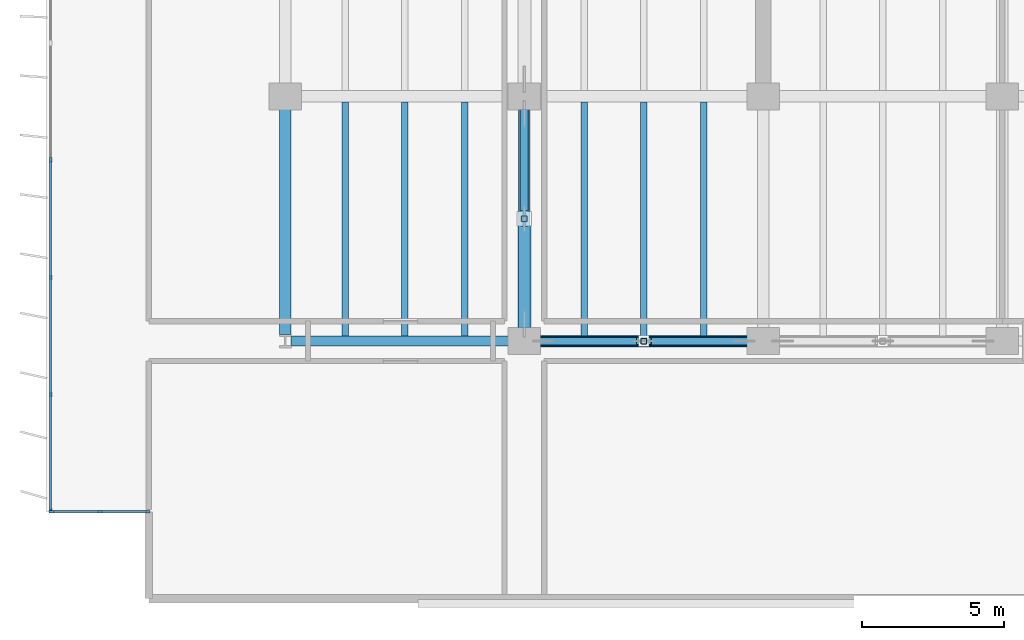
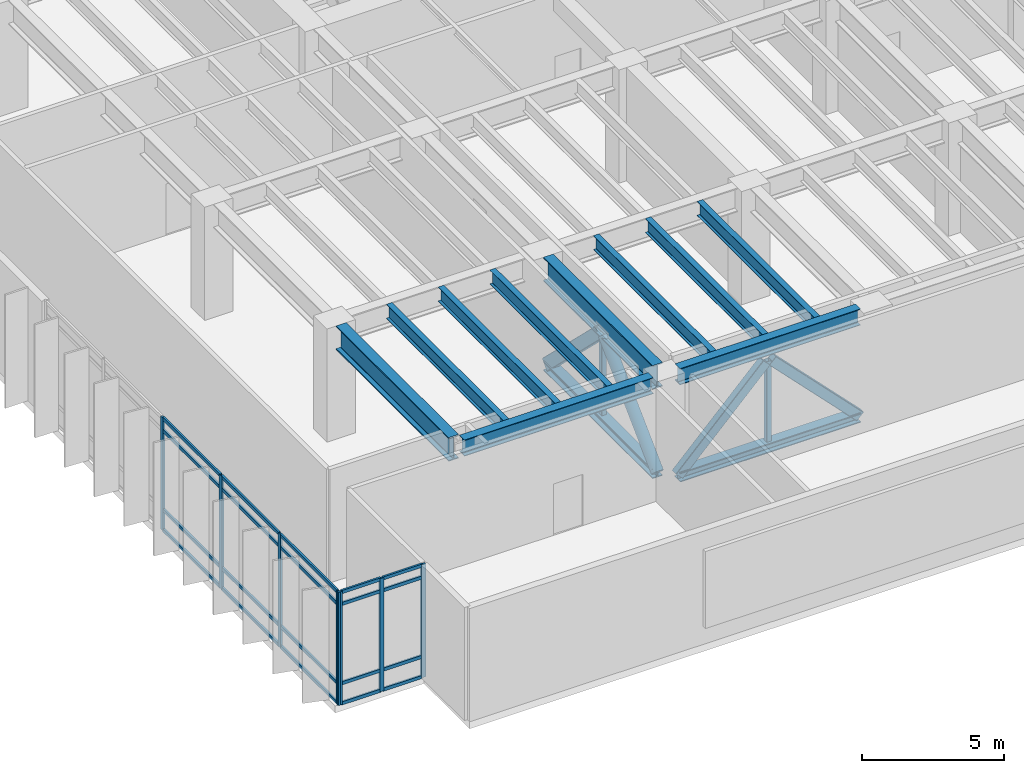
# One storey, part 2 of 21: 33 members, 12 beams, 2 elements without a shape of their own.
"""IFC4 building model written with IfcOpenShell, lengths in metres."""

from ifc_helpers import new_model, si_unit, direction, frame, origin, origin_2d, place, context, subcontext, project, spatial, rectangle, hollow_rectangle, hollow_circle, i_section, extrude, material, layer, layer_set, material_profile, profile_set, type_object, element, aggregate, save


model = new_model("IFC4")

# Units and contexts
model_context = context("Model", 3, precision=1e-05, world=origin(), true_north=direction((0.0, 1.0)))
body_context = subcontext(model_context, "Body", "Model", "MODEL_VIEW")
ifc_project = project(units=[si_unit("LENGTHUNIT", "METRE"), si_unit("AREAUNIT", "SQUARE_METRE"), si_unit("VOLUMEUNIT", "CUBIC_METRE"), si_unit("PLANEANGLEUNIT", "RADIAN"), si_unit("MASSUNIT", "GRAM", prefix="KILO")], contexts=[model_context])

# Site, building, storey
site_placement = place(None, origin())
site = spatial("IfcSite", under=ifc_project, at=site_placement, CompositionType="ELEMENT")
building_placement = place(site_placement, origin())
building = spatial("IfcBuilding", under=site, at=building_placement, Name="Caelmar Bay Residences", CompositionType="ELEMENT")
storey_placement = place(building_placement, frame((0.0, 0.0, 79.5)))
storey = spatial("IfcBuildingStorey", under=building, at=storey_placement, Name="L21", CompositionType="ELEMENT", Elevation=79.5)

# Beams
ifc_material_1 = material(Name="Steel ASTM A992 Grade 50", Category="steel")
ifc_material_profile_1 = material_profile(ifc_material_1, i_section(OverallWidth=0.40087890625, OverallDepth=0.39892578125, WebThickness=0.02490234375, FlangeThickness=0.03955078125, FilletRadius=0.01513671875, at=origin_2d()), Name="W14X211")
ifc_profile_set_1 = profile_set([ifc_material_profile_1], Name="Steel ASTM A992 Grade 50")
beam_type_1 = type_object("IfcBeamType", Name="BM-CHD-W14X211", PredefinedType="BEAM", material=ifc_profile_set_1)
beam_1_placement = place(storey_placement, frame((18.300048828125, 12.6650390625, 0.199462890625), z_axis=(0.0, 1.0, 0.0), x_axis=(-1.0, 0.0, 0.0)))
element("IfcBeam", 1, at=beam_1_placement, inside=storey, type_object=beam_type_1, Name="L21 Outrigger Bottom Chord 1", PredefinedType="BEAM", context=body_context, shape_type="SweptSolid", body=[
    extrude(i_section(OverallWidth=0.40087890625, OverallDepth=0.39892578125, WebThickness=0.02490234375, FlangeThickness=0.03955078125, FilletRadius=0.01513671875, at=origin_2d()), origin(), (0.0, 0.0, 1.0), 7.669921875),
])
beam_2_placement = place(storey_placement, frame((18.840087890625, 12.199951171875, 0.199462890625), z_axis=(1.0, 0.0, 0.0), x_axis=(0.0, 1.0, 0.0)))
element("IfcBeam", 2, at=beam_2_placement, inside=storey, type_object=beam_type_1, Name="L21 Belt-Truss Bottom Chord 1", PredefinedType="BEAM", context=body_context, shape_type="SweptSolid", body=[
    extrude(i_section(OverallWidth=0.40087890625, OverallDepth=0.39892578125, WebThickness=0.02490234375, FlangeThickness=0.03955078125, FilletRadius=0.01513671875, at=origin_2d()), origin(), (0.0, 0.0, 1.0), 7.31982421875),
])
ifc_material_profile_2 = material_profile(ifc_material_1, i_section(OverallWidth=0.404052734375, OverallDepth=1.02099609375, WebThickness=0.025390625, FlangeThickness=0.0458984375, FilletRadius=0.02294921875, at=origin_2d()), Name="W40X324")
ifc_profile_set_2 = profile_set([ifc_material_profile_2], Name="Steel ASTM A992 Grade 50")
beam_type_2 = type_object("IfcBeamType", Name="BM-GRD-W40X324", PredefinedType="BEAM", material=ifc_profile_set_2)
beam_3_placement = place(storey_placement, frame((9.89990234375, 12.427490234375, 4.339599609375), z_axis=(0.0, 1.0, 0.0), x_axis=(-1.0, 0.0, 0.0)))
element("IfcBeam", 3, at=beam_3_placement, inside=storey, type_object=beam_type_2, Name="L21 North-South Girder X=9.90 (12.2-20.8)", PredefinedType="BEAM", context=body_context, shape_type="SweptSolid", body=[
    extrude(i_section(OverallWidth=0.404052734375, OverallDepth=1.02099609375, WebThickness=0.025390625, FlangeThickness=0.0458984375, FilletRadius=0.02294921875, at=origin_2d()), origin(), (0.0, 0.0, 1.0), 7.907470703125),
])
beam_4_placement = place(storey_placement, frame((18.300048828125, 12.6650390625, 4.339599609375), z_axis=(0.0, 1.0, 0.0), x_axis=(-1.0, 0.0, 0.0)))
element("IfcBeam", 4, at=beam_4_placement, inside=storey, type_object=beam_type_2, Name="L21 North-South Girder X=18.30 (12.2-20.8)", PredefinedType="BEAM", context=body_context, shape_type="SweptSolid", body=[
    extrude(i_section(OverallWidth=0.404052734375, OverallDepth=1.02099609375, WebThickness=0.025390625, FlangeThickness=0.0458984375, FilletRadius=0.02294921875, at=origin_2d()), origin(), (0.0, 0.0, 1.0), 7.669921875),
])
ifc_material_profile_3 = material_profile(ifc_material_1, i_section(OverallWidth=0.22900390625, OverallDepth=0.612060546875, WebThickness=0.011962890625, FlangeThickness=0.01953125, FilletRadius=0.0126953125, at=origin_2d()), Name="W24X84")
ifc_profile_set_3 = profile_set([ifc_material_profile_3], Name="Steel ASTM A992 Grade 50")
beam_type_3 = type_object("IfcBeamType", Name="BM-JST-W24X84", PredefinedType="JOIST", material=ifc_profile_set_3)
for number, where, z_axis, x_axis, name in (
    (5, (12.0, 12.3779296875, 4.5439453125), (0.0, 1.0, 0.0), (-1.0, 0.0, 0.0), "L21 Composite Floor Joist 1"),
    (6, (14.10009765625, 12.3779296875, 4.5439453125), (0.0, 1.0, 0.0), (-1.0, 0.0, 0.0), "L21 Composite Floor Joist 2"),
    (7, (16.199951171875, 12.3779296875, 4.5439453125), (0.0, 1.0, 0.0), (-1.0, 0.0, 0.0), "L21 Composite Floor Joist 3"),
    (8, (20.39990234375, 12.3779296875, 4.5439453125), (0.0, 1.0, 0.0), (-1.0, 0.0, 0.0), "L21 Composite Floor Joist 4"),
    (9, (22.5, 12.3779296875, 4.5439453125), (0.0, 1.0, 0.0), (-1.0, 0.0, 0.0), "L21 Composite Floor Joist 5"),
    (10, (24.60009765625, 12.3779296875, 4.5439453125), (0.0, 1.0, 0.0), (-1.0, 0.0, 0.0), "L21 Composite Floor Joist 6"),
):
    element("IfcBeam", number, at=place(storey_placement, frame(where, z_axis=z_axis, x_axis=x_axis)), inside=storey, type_object=beam_type_3, Name=name, PredefinedType="JOIST", context=body_context, shape_type="SweptSolid", body=[
        extrude(i_section(OverallWidth=0.22900390625, OverallDepth=0.612060546875, WebThickness=0.011962890625, FlangeThickness=0.01953125, FilletRadius=0.0126953125, at=origin_2d()), origin(), (0.0, 0.0, 1.0), 8.219970703125),
    ])
ifc_material_profile_4 = material_profile(ifc_material_1, i_section(OverallWidth=0.35595703125, OverallDepth=0.696044921875, WebThickness=0.015380859375, FlangeThickness=0.02490234375, FilletRadius=0.01513671875, at=origin_2d()), Name="W27X146")
ifc_profile_set_4 = profile_set([ifc_material_profile_4], Name="Steel ASTM A992 Grade 50")
beam_type_4 = type_object("IfcBeamType", Name="BM-SPN-W27X146", PredefinedType="SPANDREL", material=ifc_profile_set_4)
beam_5_placement = place(storey_placement, frame((10.10205078125, 12.199951171875, 4.501953125), z_axis=(1.0, 0.0, 0.0), x_axis=(0.0, 1.0, 0.0)))
element("IfcBeam", 11, at=beam_5_placement, inside=storey, type_object=beam_type_4, Name="L21 East-West Girder Y=12.20 (9.9-18.3)", PredefinedType="SPANDREL", context=body_context, shape_type="SweptSolid", body=[
    extrude(i_section(OverallWidth=0.35595703125, OverallDepth=0.696044921875, WebThickness=0.015380859375, FlangeThickness=0.02490234375, FilletRadius=0.01513671875, at=origin_2d()), origin(), (0.0, 0.0, 1.0), 7.657958984375),
])
beam_6_placement = place(storey_placement, frame((18.840087890625, 12.199951171875, 4.501953125), z_axis=(1.0, 0.0, 0.0), x_axis=(0.0, 1.0, 0.0)))
element("IfcBeam", 12, at=beam_6_placement, inside=storey, type_object=beam_type_4, Name="L21 East-West Girder Y=12.20 (18.3-26.7)", PredefinedType="SPANDREL", context=body_context, shape_type="SweptSolid", body=[
    extrude(i_section(OverallWidth=0.35595703125, OverallDepth=0.696044921875, WebThickness=0.015380859375, FlangeThickness=0.02490234375, FilletRadius=0.01513671875, at=origin_2d()), origin(), (0.0, 0.0, 1.0), 7.31982421875),
])

# Curtain wall, members
ifc_material_2 = material(Name="Anodised bronze aluminium 6063-T6 and laminated glass", Category="aluminium")
ifc_layer_1 = layer(ifc_material_2, 0.179931640625)
ifc_layer_set_1 = layer_set([ifc_layer_1], Name="Anodised bronze aluminium 6063-T6 and laminated glass")
curtain_wall_type_1 = type_object("IfcCurtainWallType", Name="CW6-NTC", PredefinedType="NOTDEFINED", material=ifc_layer_set_1)
curtain_wall_1_placement = place(storey_placement, origin())
curtain_wall_1 = element("IfcCurtainWall", 13, at=curtain_wall_1_placement, inside=storey, type_object=curtain_wall_type_1, Name="CW6 curtain wall L21", PredefinedType="NOTDEFINED")
ifc_material_3 = material(Name="Anodised bronze aluminium 6063-T6", Category="aluminium")
ifc_material_profile_5 = material_profile(ifc_material_3, rectangle(XDim=0.080078125, YDim=0.179931640625, at=origin_2d()), Name="CWM-80X180")
ifc_profile_set_5 = profile_set([ifc_material_profile_5], Name="Anodised bronze aluminium 6063-T6")
member_type_1 = type_object("IfcMemberType", Name="CWM-180", PredefinedType="MULLION", material=ifc_profile_set_5)
member_1_placement = place(storey_placement, frame((1.68994140625, 6.199951171875, 0.0), z_axis=(0.0, 0.0, 1.0), x_axis=(0.0, 1.0, 0.0)))
member_1 = element("IfcMember", 14, at=member_1_placement, type_object=member_type_1, Name="CW6 mullion 1", PredefinedType="MULLION", context=body_context, shape_type="SweptSolid", body=[
    extrude(rectangle(XDim=0.080078125, YDim=0.179931640625, at=origin_2d()), origin(), (0.0, 0.0, 1.0), 4.85009765625),
])
member_2_placement = place(storey_placement, frame((3.375, 6.199951171875, 0.0), z_axis=(0.0, 0.0, 1.0), x_axis=(0.0, 1.0, 0.0)))
member_2 = element("IfcMember", 15, at=member_2_placement, type_object=member_type_1, Name="CW6 mullion 2", PredefinedType="MULLION", context=body_context, shape_type="SweptSolid", body=[
    extrude(rectangle(XDim=0.080078125, YDim=0.179931640625, at=origin_2d()), origin(), (0.0, 0.0, 1.0), 4.85009765625),
])
member_3_placement = place(storey_placement, frame((5.06005859375, 6.199951171875, 0.0), z_axis=(0.0, 0.0, 1.0), x_axis=(0.0, 1.0, 0.0)))
member_3 = element("IfcMember", 16, at=member_3_placement, type_object=member_type_1, Name="CW6 mullion 3", PredefinedType="MULLION", context=body_context, shape_type="SweptSolid", body=[
    extrude(rectangle(XDim=0.080078125, YDim=0.179931640625, at=origin_2d()), origin(), (0.0, 0.0, 1.0), 4.85009765625),
])

ifc_layer_2 = layer(ifc_material_2, 0.179931640625)
ifc_layer_set_2 = layer_set([ifc_layer_2], Name="Anodised bronze aluminium 6063-T6 and laminated glass")
curtain_wall_type_2 = type_object("IfcCurtainWallType", Name="CW2-Z1", PredefinedType="NOTDEFINED", material=ifc_layer_set_2)
curtain_wall_2_placement = place(storey_placement, origin())
curtain_wall_2 = element("IfcCurtainWall", 17, at=curtain_wall_2_placement, inside=storey, type_object=curtain_wall_type_2, Name="CW2 curtain wall L21", PredefinedType="NOTDEFINED")
member_4_placement = place(storey_placement, frame((1.64990234375, 6.239990234375, 0.0), z_axis=(0.0, 0.0, 1.0), x_axis=(-1.0, 0.0, 0.0)))
member_4 = element("IfcMember", 18, at=member_4_placement, type_object=member_type_1, Name="CW2 mullion 1", PredefinedType="MULLION", context=body_context, shape_type="SweptSolid", body=[
    extrude(rectangle(XDim=0.080078125, YDim=0.179931640625, at=origin_2d()), origin(), (0.0, 0.0, 1.0), 4.85009765625),
])
member_5_placement = place(storey_placement, frame((1.64990234375, 10.320068359375, 0.0), z_axis=(0.0, 0.0, 1.0), x_axis=(-1.0, 0.0, 0.0)))
member_5 = element("IfcMember", 19, at=member_5_placement, type_object=member_type_1, Name="CW2 mullion 2", PredefinedType="MULLION", context=body_context, shape_type="SweptSolid", body=[
    extrude(rectangle(XDim=0.080078125, YDim=0.179931640625, at=origin_2d()), origin(), (0.0, 0.0, 1.0), 4.85009765625),
])
member_6_placement = place(storey_placement, frame((1.64990234375, 14.43994140625, 0.0), z_axis=(0.0, 0.0, 1.0), x_axis=(-1.0, 0.0, 0.0)))
member_6 = element("IfcMember", 20, at=member_6_placement, type_object=member_type_1, Name="CW2 mullion 3", PredefinedType="MULLION", context=body_context, shape_type="SweptSolid", body=[
    extrude(rectangle(XDim=0.080078125, YDim=0.179931640625, at=origin_2d()), origin(), (0.0, 0.0, 1.0), 4.85009765625),
])
member_7_placement = place(storey_placement, frame((1.64990234375, 18.56005859375, 0.0), z_axis=(0.0, 0.0, 1.0), x_axis=(-1.0, 0.0, 0.0)))
member_7 = element("IfcMember", 21, at=member_7_placement, type_object=member_type_1, Name="CW2 mullion 4", PredefinedType="MULLION", context=body_context, shape_type="SweptSolid", body=[
    extrude(rectangle(XDim=0.080078125, YDim=0.179931640625, at=origin_2d()), origin(), (0.0, 0.0, 1.0), 4.85009765625),
])

# Member
ifc_material_profile_6 = material_profile(ifc_material_3, rectangle(XDim=0.080078125, YDim=0.139892578125, at=origin_2d()), Name="CWT-80X140")
ifc_profile_set_6 = profile_set([ifc_material_profile_6], Name="Anodised bronze aluminium 6063-T6")
member_type_2 = type_object("IfcMemberType", Name="CWT-140", PredefinedType="NOTDEFINED", material=ifc_profile_set_6)
member_8_placement = place(storey_placement, frame((1.72998046875, 6.199951171875, 0.0400390625), z_axis=(1.0, 0.0, 0.0), x_axis=(0.0, 1.0, 0.0)))
member_8 = element("IfcMember", 22, at=member_8_placement, type_object=member_type_2, Name="CW6 transom 1.1", ObjectType="TRANSOM", PredefinedType="USERDEFINED", context=body_context, shape_type="SweptSolid", body=[
    extrude(rectangle(XDim=0.080078125, YDim=0.139892578125, at=origin_2d()), origin(), (0.0, 0.0, 1.0), 1.60498046875),
])

member_9_placement = place(storey_placement, frame((1.72998046875, 6.199951171875, 0.89990234375), z_axis=(1.0, 0.0, 0.0), x_axis=(0.0, 1.0, 0.0)))
member_9 = element("IfcMember", 23, at=member_9_placement, type_object=member_type_2, Name="CW6 transom 1.2", ObjectType="TRANSOM", PredefinedType="USERDEFINED", context=body_context, shape_type="SweptSolid", body=[
    extrude(rectangle(XDim=0.080078125, YDim=0.139892578125, at=origin_2d()), origin(), (0.0, 0.0, 1.0), 1.60498046875),
])

member_10_placement = place(storey_placement, frame((1.72998046875, 6.199951171875, 4.300048828125), z_axis=(1.0, 0.0, 0.0), x_axis=(0.0, 1.0, 0.0)))
member_10 = element("IfcMember", 24, at=member_10_placement, type_object=member_type_2, Name="CW6 transom 1.3", ObjectType="TRANSOM", PredefinedType="USERDEFINED", context=body_context, shape_type="SweptSolid", body=[
    extrude(rectangle(XDim=0.080078125, YDim=0.139892578125, at=origin_2d()), origin(), (0.0, 0.0, 1.0), 1.60498046875),
])

member_11_placement = place(storey_placement, frame((1.72998046875, 6.199951171875, 4.81005859375), z_axis=(1.0, 0.0, 0.0), x_axis=(0.0, 1.0, 0.0)))
member_11 = element("IfcMember", 25, at=member_11_placement, type_object=member_type_2, Name="CW6 transom 1.4", ObjectType="TRANSOM", PredefinedType="USERDEFINED", context=body_context, shape_type="SweptSolid", body=[
    extrude(rectangle(XDim=0.080078125, YDim=0.139892578125, at=origin_2d()), origin(), (0.0, 0.0, 1.0), 1.60498046875),
])

member_12_placement = place(storey_placement, frame((3.4150390625, 6.199951171875, 0.0400390625), z_axis=(1.0, 0.0, 0.0), x_axis=(0.0, 1.0, 0.0)))
member_12 = element("IfcMember", 26, at=member_12_placement, type_object=member_type_2, Name="CW6 transom 2.1", ObjectType="TRANSOM", PredefinedType="USERDEFINED", context=body_context, shape_type="SweptSolid", body=[
    extrude(rectangle(XDim=0.080078125, YDim=0.139892578125, at=origin_2d()), origin(), (0.0, 0.0, 1.0), 1.60498046875),
])

member_13_placement = place(storey_placement, frame((3.4150390625, 6.199951171875, 0.89990234375), z_axis=(1.0, 0.0, 0.0), x_axis=(0.0, 1.0, 0.0)))
member_13 = element("IfcMember", 27, at=member_13_placement, type_object=member_type_2, Name="CW6 transom 2.2", ObjectType="TRANSOM", PredefinedType="USERDEFINED", context=body_context, shape_type="SweptSolid", body=[
    extrude(rectangle(XDim=0.080078125, YDim=0.139892578125, at=origin_2d()), origin(), (0.0, 0.0, 1.0), 1.60498046875),
])

member_14_placement = place(storey_placement, frame((3.4150390625, 6.199951171875, 4.300048828125), z_axis=(1.0, 0.0, 0.0), x_axis=(0.0, 1.0, 0.0)))
member_14 = element("IfcMember", 28, at=member_14_placement, type_object=member_type_2, Name="CW6 transom 2.3", ObjectType="TRANSOM", PredefinedType="USERDEFINED", context=body_context, shape_type="SweptSolid", body=[
    extrude(rectangle(XDim=0.080078125, YDim=0.139892578125, at=origin_2d()), origin(), (0.0, 0.0, 1.0), 1.60498046875),
])

member_15_placement = place(storey_placement, frame((3.4150390625, 6.199951171875, 4.81005859375), z_axis=(1.0, 0.0, 0.0), x_axis=(0.0, 1.0, 0.0)))
member_15 = element("IfcMember", 29, at=member_15_placement, type_object=member_type_2, Name="CW6 transom 2.4", ObjectType="TRANSOM", PredefinedType="USERDEFINED", context=body_context, shape_type="SweptSolid", body=[
    extrude(rectangle(XDim=0.080078125, YDim=0.139892578125, at=origin_2d()), origin(), (0.0, 0.0, 1.0), 1.60498046875),
])

aggregate(curtain_wall_1, [member_1, member_2, member_3, member_8, member_9, member_10, member_11, member_12, member_13, member_14, member_15])

member_16_placement = place(storey_placement, frame((1.64990234375, 6.280029296875, 0.0400390625), z_axis=(0.0, 1.0, 0.0), x_axis=(-1.0, 0.0, 0.0)))
member_16 = element("IfcMember", 30, at=member_16_placement, type_object=member_type_2, Name="CW2 transom 1.1", ObjectType="TRANSOM", PredefinedType="USERDEFINED", context=body_context, shape_type="SweptSolid", body=[
    extrude(rectangle(XDim=0.080078125, YDim=0.139892578125, at=origin_2d()), origin(), (0.0, 0.0, 1.0), 4.0),
])

member_17_placement = place(storey_placement, frame((1.64990234375, 6.280029296875, 0.89990234375), z_axis=(0.0, 1.0, 0.0), x_axis=(-1.0, 0.0, 0.0)))
member_17 = element("IfcMember", 31, at=member_17_placement, type_object=member_type_2, Name="CW2 transom 1.2", ObjectType="TRANSOM", PredefinedType="USERDEFINED", context=body_context, shape_type="SweptSolid", body=[
    extrude(rectangle(XDim=0.080078125, YDim=0.139892578125, at=origin_2d()), origin(), (0.0, 0.0, 1.0), 4.0),
])

member_18_placement = place(storey_placement, frame((1.64990234375, 6.280029296875, 4.300048828125), z_axis=(0.0, 1.0, 0.0), x_axis=(-1.0, 0.0, 0.0)))
member_18 = element("IfcMember", 32, at=member_18_placement, type_object=member_type_2, Name="CW2 transom 1.3", ObjectType="TRANSOM", PredefinedType="USERDEFINED", context=body_context, shape_type="SweptSolid", body=[
    extrude(rectangle(XDim=0.080078125, YDim=0.139892578125, at=origin_2d()), origin(), (0.0, 0.0, 1.0), 4.0),
])

member_19_placement = place(storey_placement, frame((1.64990234375, 6.280029296875, 4.81005859375), z_axis=(0.0, 1.0, 0.0), x_axis=(-1.0, 0.0, 0.0)))
member_19 = element("IfcMember", 33, at=member_19_placement, type_object=member_type_2, Name="CW2 transom 1.4", ObjectType="TRANSOM", PredefinedType="USERDEFINED", context=body_context, shape_type="SweptSolid", body=[
    extrude(rectangle(XDim=0.080078125, YDim=0.139892578125, at=origin_2d()), origin(), (0.0, 0.0, 1.0), 4.0),
])

member_20_placement = place(storey_placement, frame((1.64990234375, 10.360107421875, 0.0400390625), z_axis=(0.0, 1.0, 0.0), x_axis=(-1.0, 0.0, 0.0)))
member_20 = element("IfcMember", 34, at=member_20_placement, type_object=member_type_2, Name="CW2 transom 2.1", ObjectType="TRANSOM", PredefinedType="USERDEFINED", context=body_context, shape_type="SweptSolid", body=[
    extrude(rectangle(XDim=0.080078125, YDim=0.139892578125, at=origin_2d()), origin(), (0.0, 0.0, 1.0), 4.039794921875),
])

member_21_placement = place(storey_placement, frame((1.64990234375, 10.360107421875, 0.89990234375), z_axis=(0.0, 1.0, 0.0), x_axis=(-1.0, 0.0, 0.0)))
member_21 = element("IfcMember", 35, at=member_21_placement, type_object=member_type_2, Name="CW2 transom 2.2", ObjectType="TRANSOM", PredefinedType="USERDEFINED", context=body_context, shape_type="SweptSolid", body=[
    extrude(rectangle(XDim=0.080078125, YDim=0.139892578125, at=origin_2d()), origin(), (0.0, 0.0, 1.0), 4.039794921875),
])

member_22_placement = place(storey_placement, frame((1.64990234375, 10.360107421875, 4.300048828125), z_axis=(0.0, 1.0, 0.0), x_axis=(-1.0, 0.0, 0.0)))
member_22 = element("IfcMember", 36, at=member_22_placement, type_object=member_type_2, Name="CW2 transom 2.3", ObjectType="TRANSOM", PredefinedType="USERDEFINED", context=body_context, shape_type="SweptSolid", body=[
    extrude(rectangle(XDim=0.080078125, YDim=0.139892578125, at=origin_2d()), origin(), (0.0, 0.0, 1.0), 4.039794921875),
])

member_23_placement = place(storey_placement, frame((1.64990234375, 10.360107421875, 4.81005859375), z_axis=(0.0, 1.0, 0.0), x_axis=(-1.0, 0.0, 0.0)))
member_23 = element("IfcMember", 37, at=member_23_placement, type_object=member_type_2, Name="CW2 transom 2.4", ObjectType="TRANSOM", PredefinedType="USERDEFINED", context=body_context, shape_type="SweptSolid", body=[
    extrude(rectangle(XDim=0.080078125, YDim=0.139892578125, at=origin_2d()), origin(), (0.0, 0.0, 1.0), 4.039794921875),
])

member_24_placement = place(storey_placement, frame((1.64990234375, 14.47998046875, 0.0400390625), z_axis=(0.0, 1.0, 0.0), x_axis=(-1.0, 0.0, 0.0)))
member_24 = element("IfcMember", 38, at=member_24_placement, type_object=member_type_2, Name="CW2 transom 3.1", ObjectType="TRANSOM", PredefinedType="USERDEFINED", context=body_context, shape_type="SweptSolid", body=[
    extrude(rectangle(XDim=0.080078125, YDim=0.139892578125, at=origin_2d()), origin(), (0.0, 0.0, 1.0), 4.0400390625),
])

member_25_placement = place(storey_placement, frame((1.64990234375, 14.47998046875, 0.89990234375), z_axis=(0.0, 1.0, 0.0), x_axis=(-1.0, 0.0, 0.0)))
member_25 = element("IfcMember", 39, at=member_25_placement, type_object=member_type_2, Name="CW2 transom 3.2", ObjectType="TRANSOM", PredefinedType="USERDEFINED", context=body_context, shape_type="SweptSolid", body=[
    extrude(rectangle(XDim=0.080078125, YDim=0.139892578125, at=origin_2d()), origin(), (0.0, 0.0, 1.0), 4.0400390625),
])

member_26_placement = place(storey_placement, frame((1.64990234375, 14.47998046875, 4.300048828125), z_axis=(0.0, 1.0, 0.0), x_axis=(-1.0, 0.0, 0.0)))
member_26 = element("IfcMember", 40, at=member_26_placement, type_object=member_type_2, Name="CW2 transom 3.3", ObjectType="TRANSOM", PredefinedType="USERDEFINED", context=body_context, shape_type="SweptSolid", body=[
    extrude(rectangle(XDim=0.080078125, YDim=0.139892578125, at=origin_2d()), origin(), (0.0, 0.0, 1.0), 4.0400390625),
])

member_27_placement = place(storey_placement, frame((1.64990234375, 14.47998046875, 4.81005859375), z_axis=(0.0, 1.0, 0.0), x_axis=(-1.0, 0.0, 0.0)))
member_27 = element("IfcMember", 41, at=member_27_placement, type_object=member_type_2, Name="CW2 transom 3.4", ObjectType="TRANSOM", PredefinedType="USERDEFINED", context=body_context, shape_type="SweptSolid", body=[
    extrude(rectangle(XDim=0.080078125, YDim=0.139892578125, at=origin_2d()), origin(), (0.0, 0.0, 1.0), 4.0400390625),
])

aggregate(curtain_wall_2, [member_4, member_5, member_6, member_7, member_16, member_17, member_18, member_19, member_20, member_21, member_22, member_23, member_24, member_25, member_26, member_27])

# Members
ifc_material_4 = material(Name="Steel ASTM A500 Grade C", Category="steel")
ifc_material_profile_7 = material_profile(ifc_material_4, hollow_rectangle(XDim=0.304931640625, YDim=0.406005859375, WallThickness=0.017578125, InnerFilletRadius=0.017578125, OuterFilletRadius=0.035400390625, at=origin_2d()), Name="HSS400X300X19.1")
ifc_profile_set_7 = profile_set([ifc_material_profile_7], Name="Steel ASTM A500 Grade C")
member_type_3 = type_object("IfcMemberType", Name="MEM-BRC-HSS400X300", PredefinedType="BRACE", material=ifc_profile_set_7)
for number, where, z_axis, x_axis, name in (
    (42, (18.840087890625, 12.199951171875, 0.219970703125), (0.698744685922, 0.0, 0.71537113717), (0.0, 1.0, 0.0), "L21 Belt-Truss Chevron 1A"),
    (43, (26.159912109375, 12.199951171875, 0.219970703125), (-0.698744685922, 0.0, 0.71537113717), (0.0, -1.0, 0.0), "L21 Belt-Truss Chevron 1B"),
):
    element("IfcMember", number, at=place(storey_placement, frame(where, z_axis=z_axis, x_axis=x_axis)), inside=storey, type_object=member_type_3, Name=name, PredefinedType="BRACE", context=body_context, shape_type="SweptSolid", body=[
        extrude(hollow_rectangle(XDim=0.304931640625, YDim=0.406005859375, WallThickness=0.017578125, InnerFilletRadius=0.017578125, OuterFilletRadius=0.035400390625, at=origin_2d()), origin(), (0.0, 0.0, 1.0), 5.06591796875),
    ])
ifc_material_profile_8 = material_profile(ifc_material_4, hollow_rectangle(XDim=0.304931640625, YDim=0.508056640625, WallThickness=0.017578125, InnerFilletRadius=0.017578125, OuterFilletRadius=0.035400390625, at=origin_2d()), Name="HSS500X300X19.1")
ifc_profile_set_8 = profile_set([ifc_material_profile_8], Name="Steel ASTM A500 Grade C")
member_type_4 = type_object("IfcMemberType", Name="MEM-CHD-HSS500X300", PredefinedType="CHORD", material=ifc_profile_set_8)
member_28_placement = place(storey_placement, frame((18.300048828125, 20.3349609375, 0.219970703125), z_axis=(0.0, -0.715802594687, 0.698302688981), x_axis=(1.0, 0.0, 0.0)))
element("IfcMember", 44, at=member_28_placement, inside=storey, type_object=member_type_4, Name="L21 Outrigger Secondary Diagonal 1B", PredefinedType="CHORD", context=body_context, shape_type="SweptSolid", body=[
    extrude(hollow_rectangle(XDim=0.304931640625, YDim=0.508056640625, WallThickness=0.017578125, InnerFilletRadius=0.017578125, OuterFilletRadius=0.035400390625, at=origin_2d()), origin(), (0.0, 0.0, 1.0), 5.189697265625),
])
ifc_material_5 = material(Name="Steel ASTM A53 Grade B", Category="steel")
ifc_material_profile_9 = material_profile(ifc_material_5, hollow_circle(Radius=0.228515625, WallThickness=0.023681640625, at=origin_2d()), Name="CHS457X25.4")
ifc_profile_set_9 = profile_set([ifc_material_profile_9], Name="Steel ASTM A53 Grade B")
member_type_5 = type_object("IfcMemberType", Name="MEM-OUT-CHS457", PredefinedType="BRACE", material=ifc_profile_set_9)
member_29_placement = place(storey_placement, frame((18.300048828125, 12.6650390625, 0.219970703125), z_axis=(0.0, 0.715802594687, 0.698302688981), x_axis=(-1.0, 0.0, 0.0)))
element("IfcMember", 45, at=member_29_placement, inside=storey, type_object=member_type_5, Name="L21 Outrigger Diagonal 1A", PredefinedType="BRACE", context=body_context, shape_type="SweptSolid", body=[
    extrude(hollow_circle(Radius=0.228515625, WallThickness=0.023681640625, at=origin_2d()), origin(), (0.0, 0.0, 1.0), 5.189697265625),
])
ifc_material_profile_10 = material_profile(ifc_material_4, hollow_rectangle(XDim=0.202880859375, YDim=0.202880859375, WallThickness=0.01171875, InnerFilletRadius=0.01171875, OuterFilletRadius=0.023681640625, at=origin_2d()), Name="HSS200X200X12.7")
ifc_profile_set_10 = profile_set([ifc_material_profile_10], Name="Steel ASTM A500 Grade C")
member_type_6 = type_object("IfcMemberType", Name="MEM-PST-HSS200", PredefinedType="POST", material=ifc_profile_set_10)
for number, where, z_axis, x_axis, name in (
    (46, (18.300048828125, 16.5, 0.39892578125), (0.0, 0.0, 1.0), (1.0, 0.0, 0.0), "L21 Outrigger Web Post 1"),
    (47, (22.5, 12.199951171875, 0.39892578125), (0.0, 0.0, 1.0), (1.0, 0.0, 0.0), "L21 Belt-Truss Vertical Post 1"),
):
    element("IfcMember", number, at=place(storey_placement, frame(where, z_axis=z_axis, x_axis=x_axis)), inside=storey, type_object=member_type_6, Name=name, PredefinedType="POST", context=body_context, shape_type="SweptSolid", body=[
        extrude(hollow_rectangle(XDim=0.202880859375, YDim=0.202880859375, WallThickness=0.01171875, InnerFilletRadius=0.01171875, OuterFilletRadius=0.023681640625, at=origin_2d()), origin(), (0.0, 0.0, 1.0), 3.445068359375),
    ])

save(model, "model.ifc")
